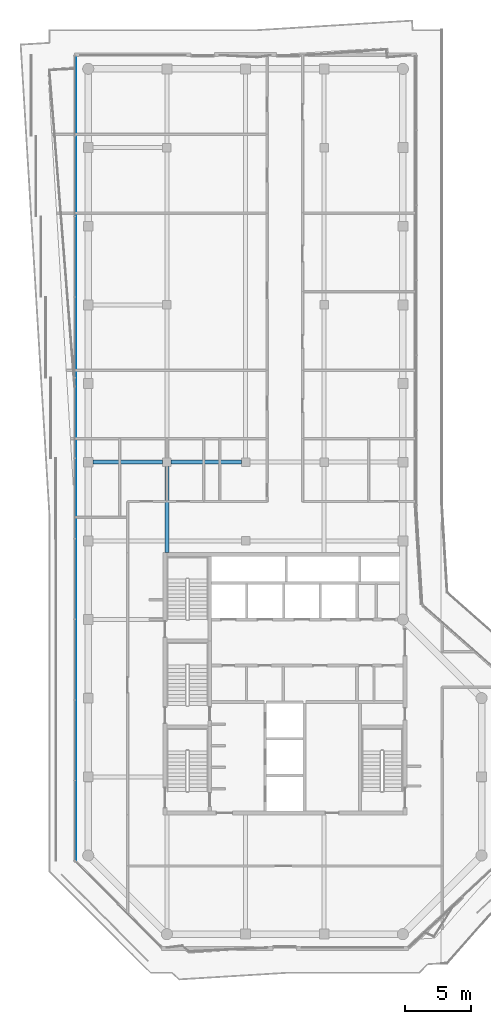
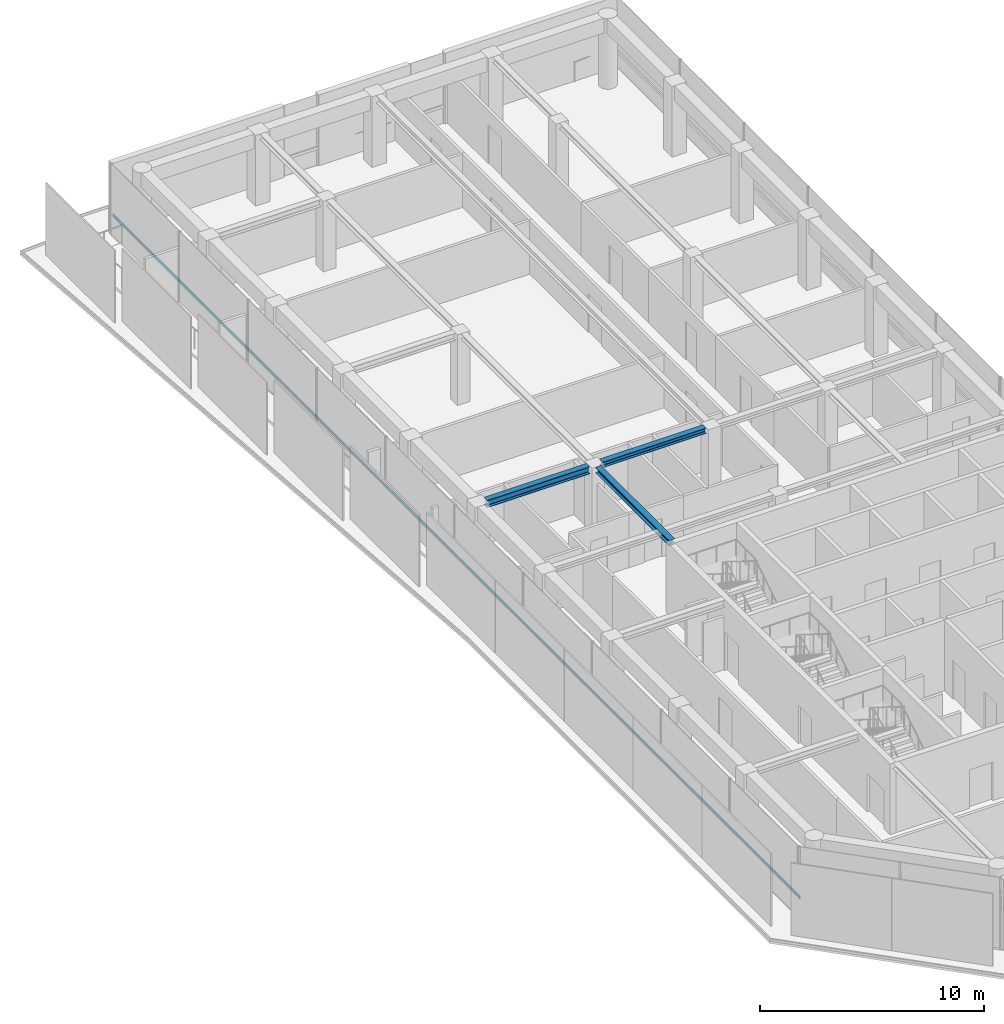
# One storey, part 8 of 21: 3 beams, 1 member, 1 element without a shape of its own.
"""IFC4 building model written with IfcOpenShell, lengths in metres."""

from ifc_helpers import new_model, si_unit, direction, frame, origin, origin_2d, place, context, subcontext, project, spatial, rectangle, i_section, extrude, material, layer, layer_set, material_profile, profile_set, type_object, element, aggregate, save


model = new_model("IFC4")

# Units and contexts
model_context = context("Model", 3, precision=1e-05, world=origin(), true_north=direction((0.0, 1.0)))
body_context = subcontext(model_context, "Body", "Model", "MODEL_VIEW")
ifc_project = project(units=[si_unit("LENGTHUNIT", "METRE"), si_unit("AREAUNIT", "SQUARE_METRE"), si_unit("VOLUMEUNIT", "CUBIC_METRE"), si_unit("PLANEANGLEUNIT", "RADIAN"), si_unit("MASSUNIT", "GRAM", prefix="KILO")], contexts=[model_context])

# Site, building, storey
site_placement = place(None, origin())
site = spatial("IfcSite", under=ifc_project, at=site_placement, CompositionType="ELEMENT")
building_placement = place(site_placement, origin())
building = spatial("IfcBuilding", under=site, at=building_placement, Name="Welwitschia Terrace Campus", CompositionType="ELEMENT")
storey_placement = place(building_placement, frame((0.0, 0.0, 302.0)))
storey = spatial("IfcBuildingStorey", under=building, at=storey_placement, Name="L67", CompositionType="ELEMENT", Elevation=302.0)

# Beams
ifc_material_1 = material(Name="Steel S355", Category="steel")
ifc_material_profile_1 = material_profile(ifc_material_1, i_section(OverallWidth=0.300048828125, OverallDepth=0.300048828125, WebThickness=0.010986328125, FlangeThickness=0.01904296875, FilletRadius=0.027099609375, at=origin_2d()))
ifc_profile_set_1 = profile_set([ifc_material_profile_1], Name="Steel S355")
beam_type_1 = type_object("IfcBeamType", Name="Interior girder HE 300 B", PredefinedType="BEAM", material=ifc_profile_set_1)
beam_1_placement = place(storey_placement, frame((6.325439453125, 32.0, 3.699951171875), z_axis=(1.0, 0.0, 0.0), x_axis=(0.0, 1.0, 0.0)))
element("IfcBeam", 1, at=beam_1_placement, inside=storey, type_object=beam_type_1, Name="Girder GB6", PredefinedType="BEAM", context=body_context, shape_type="SweptSolid", body=[
    extrude(i_section(OverallWidth=0.300048828125, OverallDepth=0.300048828125, WebThickness=0.010986328125, FlangeThickness=0.01904296875, FilletRadius=0.027099609375, at=origin_2d()), origin(), (0.0, 0.0, 1.0), 5.34912109375),
])
beam_2_placement = place(storey_placement, frame((6.0, 25.10107421875, 3.699951171875), z_axis=(0.0, 1.0, 0.0), x_axis=(-1.0, 0.0, 0.0)))
element("IfcBeam", 2, at=beam_2_placement, inside=storey, type_object=beam_type_1, Name="Girder GB6", PredefinedType="BEAM", context=body_context, shape_type="SweptSolid", body=[
    extrude(i_section(OverallWidth=0.300048828125, OverallDepth=0.300048828125, WebThickness=0.010986328125, FlangeThickness=0.01904296875, FilletRadius=0.027099609375, at=origin_2d()), origin(), (0.0, 0.0, 1.0), 6.573486328125),
])
ifc_material_2 = material(Name="Steel S355", Category="steel")
ifc_material_profile_2 = material_profile(ifc_material_2, i_section(OverallWidth=0.300048828125, OverallDepth=0.39990234375, WebThickness=0.013427734375, FlangeThickness=0.02392578125, FilletRadius=0.027099609375, at=origin_2d()))
ifc_profile_set_2 = profile_set([ifc_material_profile_2], Name="Steel S355")
beam_type_2 = type_object("IfcBeamType", Name="Primary beam HE 400 B", PredefinedType="BEAM", material=ifc_profile_set_2)
beam_3_placement = place(storey_placement, frame((0.37548828125, 32.0, 3.64990234375), z_axis=(1.0, 0.0, 0.0), x_axis=(0.0, 1.0, 0.0)))
element("IfcBeam", 3, at=beam_3_placement, inside=storey, type_object=beam_type_2, Name="Primary beam PB6", PredefinedType="BEAM", context=body_context, shape_type="SweptSolid", body=[
    extrude(i_section(OverallWidth=0.300048828125, OverallDepth=0.39990234375, WebThickness=0.013427734375, FlangeThickness=0.02392578125, FilletRadius=0.027099609375, at=origin_2d()), origin(), (0.0, 0.0, 1.0), 5.299072265625),
])

# Curtain wall, member
ifc_material_3 = material(Name="Bronze anodised aluminium", Category="aluminium")
ifc_layer = layer(ifc_material_3, 0.1201171875)
ifc_layer_set = layer_set([ifc_layer], Name="Bronze anodised aluminium")
curtain_wall_type = type_object("IfcCurtainWallType", Name="Curtain wall CW2 tower 6000", PredefinedType="NOTDEFINED", material=ifc_layer_set)
curtain_wall_placement = place(storey_placement, origin())
curtain_wall = element("IfcCurtainWall", 4, at=curtain_wall_placement, inside=storey, type_object=curtain_wall_type, Name="CW L67.8.0", PredefinedType="NOTDEFINED")
ifc_material_4 = material(Name="Bronze anodised aluminium", Category="aluminium")
ifc_material_profile_3 = material_profile(ifc_material_4, rectangle(XDim=0.06005859375, YDim=0.14990234375, at=origin_2d()))
ifc_profile_set_3 = profile_set([ifc_material_profile_3], Name="Bronze anodised aluminium")
member_type = type_object("IfcMemberType", Name="Transom 60x150", PredefinedType="USERDEFINED", material=ifc_profile_set_3)
member_placement = place(storey_placement, frame((-0.93994140625, 62.969970703125, 1.0), z_axis=(0.0, -1.0, 0.0), x_axis=(1.0, 0.0, 0.0)))
member = element("IfcMember", 5, at=member_placement, type_object=member_type, Name="Transom L67.8.0", ObjectType="TRANSOM", PredefinedType="USERDEFINED", context=body_context, shape_type="SweptSolid", body=[
    extrude(rectangle(XDim=0.06005859375, YDim=0.14990234375, at=origin_2d()), origin(), (0.0, 0.0, 1.0), 61.336669921875),
])
aggregate(curtain_wall, [member])

save(model, "model.ifc")
